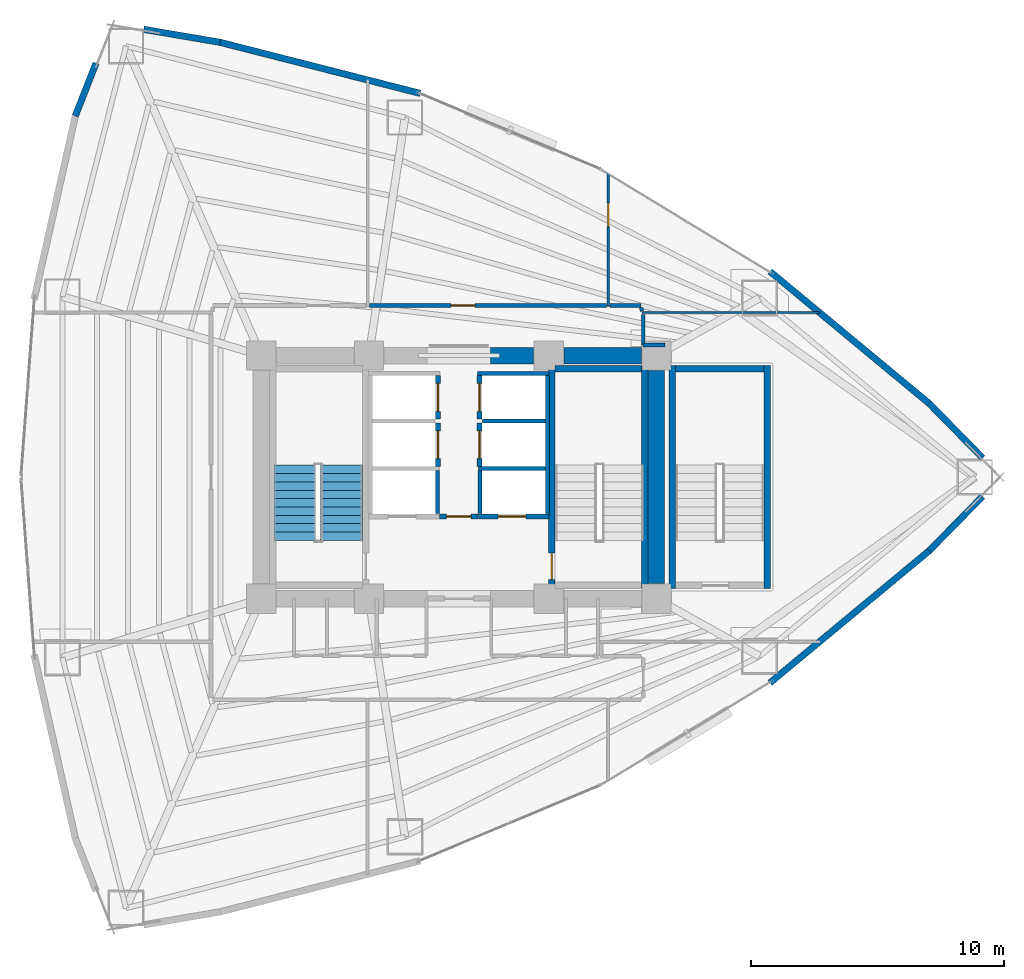
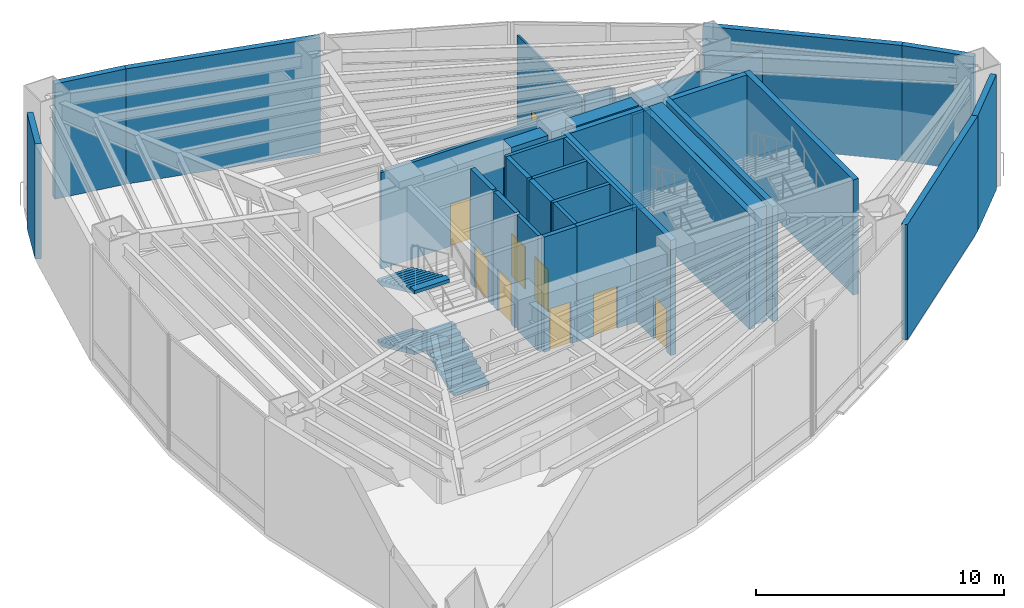
# One storey, part 15 of 19: 35 walls, 9 doors, 3 stair flights, 9 openings, 1 element without a shape of its own.
"""IFC4 building model written with IfcOpenShell, lengths in metres."""

from ifc_helpers import new_model, si_unit, direction, frame, frame_2d, origin, place, context, subcontext, project, spatial, polyline, rectangle, outline, extrude, material, layer, layer_set, type_object, element, fill, aggregate, save


model = new_model("IFC4")

# Units and contexts
model_context = context("Model", 3, precision=1e-05, world=origin(), true_north=direction((0.0, 1.0)))
body_context = subcontext(model_context, "Body", "Model", "MODEL_VIEW")
ifc_project = project(units=[si_unit("LENGTHUNIT", "METRE"), si_unit("AREAUNIT", "SQUARE_METRE"), si_unit("VOLUMEUNIT", "CUBIC_METRE"), si_unit("PLANEANGLEUNIT", "RADIAN"), si_unit("MASSUNIT", "GRAM", prefix="KILO")], contexts=[model_context])

# Site, building, storey
site_placement = place(None, origin())
site = spatial("IfcSite", under=ifc_project, at=site_placement, CompositionType="ELEMENT")
building_placement = place(site_placement, origin())
building = spatial("IfcBuilding", under=site, at=building_placement, Name="Menara Vayukalpa", CompositionType="ELEMENT")
storey_placement = place(building_placement, frame((0.0, 0.0, 12.0)))
storey = spatial("IfcBuildingStorey", under=building, at=storey_placement, Name="L02", CompositionType="ELEMENT", Elevation=12.0)

# Walls
ifc_material_1 = material(Name="Concrete C80/95", Category="concrete")
ifc_layer_1 = layer(ifc_material_1, 0.64990234375)
ifc_layer_set_1 = layer_set([ifc_layer_1], Name="Concrete C80/95")
wall_type_1 = type_object("IfcWallType", Name="WAL-CW650", PredefinedType="SHEAR", material=ifc_layer_set_1)
wall_1_placement = place(storey_placement, frame((26.85009765625, 26.800048828125, 0.0), z_axis=(0.0, 0.0, 1.0), x_axis=(1.0, 0.0, 0.0)))
element("IfcWall", 1, at=wall_1_placement, inside=storey, type_object=wall_type_1, Name="L02 Buttressed Core Shear Wall CWN3", PredefinedType="SHEAR", context=body_context, shape_type="SweptSolid", body=[
    extrude(rectangle(XDim=1.704833984375, YDim=0.64990234375, at=frame_2d((0.8525390625, 0.0))), origin(), (0.0, 0.0, 1.0), 5.679931640625),
])
wall_2_placement = place(storey_placement, frame((29.7451171875, 26.800048828125, 0.0), z_axis=(0.0, 0.0, 1.0), x_axis=(1.0, 0.0, 0.0)))
element("IfcWall", 2, at=wall_2_placement, inside=storey, type_object=wall_type_1, Name="L02 Buttressed Core Shear Wall CWN4", PredefinedType="SHEAR", context=body_context, shape_type="SweptSolid", body=[
    extrude(rectangle(XDim=3.059814453125, YDim=0.64990234375, at=frame_2d((1.52978515625, 0.0))), origin(), (0.0, 0.0, 1.0), 5.679931640625),
])
wall_3_placement = place(storey_placement, frame((33.39990234375, 17.794921875, 0.0), z_axis=(0.0, 0.0, 1.0), x_axis=(0.0, 1.0, 0.0)))
element("IfcWall", 3, at=wall_3_placement, inside=storey, type_object=wall_type_1, Name="L02 Buttressed Core Shear Wall CWE1", PredefinedType="SHEAR", context=body_context, shape_type="SweptSolid", body=[
    extrude(rectangle(XDim=8.41015625, YDim=0.64990234375, at=frame_2d((4.205078125, 0.0))), origin(), (0.0, 0.0, 1.0), 5.679931640625),
])
ifc_material_2 = material(Name="Insulated Precast Concrete C40/50", Category="concrete")
ifc_layer_2 = layer(ifc_material_2, 0.260009765625)
ifc_layer_set_2 = layer_set([ifc_layer_2], Name="Insulated Precast Concrete C40/50")
wall_type_2 = type_object("IfcWallType", Name="WAL-EXT260", PredefinedType="PARTITIONING", material=ifc_layer_set_2)
for number, where, z_axis, x_axis, name in (
    (4, (46.28466796875, 21.24169921875, 0.0), (0.0, 0.0, 1.0), (-0.700577373018, -0.713576446091, 0.0), "L02 Perimeter Terracotta Pier Wall 01"),
    (5, (44.166259765625, 24.916015625, 0.0), (0.0, 0.0, 1.0), (0.700577373018, -0.713576446091, 0.0), "L02 Perimeter Terracotta Pier Wall 02"),
):
    element("IfcWall", number, at=place(storey_placement, frame(where, z_axis=z_axis, x_axis=x_axis)), inside=storey, type_object=wall_type_2, Name=name, PredefinedType="PARTITIONING", context=body_context, shape_type="SweptSolid", body=[
        extrude(rectangle(XDim=3.023681640625, YDim=0.260009765625, at=frame_2d((1.51171875, 0.0))), origin(), (0.0, 0.0, 1.0), 5.679931640625),
    ])
for number, where, z_axis, x_axis, name in (
    (6, (37.888427734375, 30.121337890625, 0.0), (0.0, 0.0, 1.0), (0.769752944783, -0.638341917782, 0.0), "L02 Perimeter Terracotta Pier Wall 03"),
    (7, (16.167724609375, 39.171142578125, 0.0), (0.0, 0.0, 1.0), (0.968981557045, -0.247133045354, 0.0), "L02 Perimeter Terracotta Pier Wall 06"),
):
    element("IfcWall", number, at=place(storey_placement, frame(where, z_axis=z_axis, x_axis=x_axis)), inside=storey, type_object=wall_type_2, Name=name, PredefinedType="PARTITIONING", context=body_context, shape_type="SweptSolid", body=[
        extrude(rectangle(XDim=8.1669921875, YDim=0.260009765625, at=frame_2d((4.08349609375, 0.0))), origin(), (0.0, 0.0, 1.0), 5.679931640625),
    ])
wall_4_placement = place(storey_placement, frame((13.158203125, 39.681396484375, 0.0), z_axis=(0.0, 0.0, 1.0), x_axis=(0.985905166387, -0.167305119144, 0.0)))
element("IfcWall", 8, at=wall_4_placement, inside=storey, type_object=wall_type_2, Name="L02 Perimeter Terracotta Pier Wall 07", PredefinedType="PARTITIONING", context=body_context, shape_type="SweptSolid", body=[
    extrude(rectangle(XDim=3.064453125, YDim=0.260009765625, at=frame_2d((1.5322265625, 0.0))), origin(), (0.0, 0.0, 1.0), 5.679931640625),
])
wall_5_placement = place(storey_placement, frame((10.4560546875, 36.2578125, 0.0), z_axis=(0.0, 0.0, 1.0), x_axis=(0.365527759733, 0.930800438797, 0.0)))
element("IfcWall", 9, at=wall_5_placement, inside=storey, type_object=wall_type_2, Name="L02 Perimeter Terracotta Pier Wall 08", PredefinedType="PARTITIONING", context=body_context, shape_type="SweptSolid", body=[
    extrude(rectangle(XDim=2.242919921875, YDim=0.260009765625, at=frame_2d((1.12158203125, 0.0))), origin(), (0.0, 0.0, 1.0), 5.679931640625),
])
wall_6_placement = place(storey_placement, frame((44.175048828125, 19.092041015625, 0.0), z_axis=(0.0, 0.0, 1.0), x_axis=(-0.769752944783, -0.638341917782, 0.0)))
element("IfcWall", 10, at=wall_6_placement, inside=storey, type_object=wall_type_2, Name="L02 Perimeter Terracotta Pier Wall 18", PredefinedType="PARTITIONING", context=body_context, shape_type="SweptSolid", body=[
    extrude(rectangle(XDim=8.1669921875, YDim=0.260009765625, at=frame_2d((4.08349609375, 0.0))), origin(), (0.0, 0.0, 1.0), 5.679931640625),
])
ifc_material_3 = material(Name="Lightweight Concrete Blockwork C16/20", Category="masonry")
ifc_layer_3 = layer(ifc_material_3, 0.159912109375)
ifc_layer_set_3 = layer_set([ifc_layer_3], Name="Lightweight Concrete Blockwork C16/20")
wall_type_3 = type_object("IfcWallType", Name="WAL-FR150", PredefinedType="PARTITIONING", material=ifc_layer_set_3)
wall_7_placement = place(storey_placement, frame((24.7548828125, 20.56005859375, 0.0), z_axis=(0.0, 0.0, 1.0), x_axis=(0.0, 1.0, 0.0)))
element("IfcWall", 11, at=wall_7_placement, inside=storey, type_object=wall_type_3, Name="L02 Interior Partition IW-L02-SHW-W1E", PredefinedType="PARTITIONING", context=body_context, shape_type="SweptSolid", body=[
    extrude(rectangle(XDim=1.7099609375, YDim=0.159912109375, at=frame_2d((0.85498046875, 0.0))), origin(), (0.0, 0.0, 1.0), 5.679931640625),
])
wall_8_placement = place(storey_placement, frame((29.094970703125, 20.56005859375, 0.0), z_axis=(0.0, 0.0, 1.0), x_axis=(0.0, 1.0, 0.0)))
element("IfcWall", 12, at=wall_8_placement, inside=storey, type_object=wall_type_3, Name="L02 Interior Partition IW-L02-SHW-EE", PredefinedType="PARTITIONING", context=body_context, shape_type="SweptSolid", body=[
    extrude(rectangle(XDim=5.449951171875, YDim=0.159912109375, at=frame_2d((2.72509765625, 0.0))), origin(), (0.0, 0.0, 1.0), 5.679931640625),
])
wall_9_placement = place(storey_placement, frame((26.445068359375, 20.56005859375, 0.0), z_axis=(0.0, 0.0, 1.0), x_axis=(0.0, 1.0, 0.0)))
element("IfcWall", 13, at=wall_9_placement, inside=storey, type_object=wall_type_3, Name="L02 Interior Partition IW-L02-SHW-E1W", PredefinedType="PARTITIONING", context=body_context, shape_type="SweptSolid", body=[
    extrude(rectangle(XDim=1.7099609375, YDim=0.159912109375, at=frame_2d((0.85498046875, 0.0))), origin(), (0.0, 0.0, 1.0), 5.679931640625),
])
wall_10_placement = place(storey_placement, frame((26.3701171875, 22.344970703125, 0.0), z_axis=(0.0, 0.0, 1.0), x_axis=(1.0, 0.0, 0.0)))
element("IfcWall", 14, at=wall_10_placement, inside=storey, type_object=wall_type_3, Name="L02 Interior Partition IW-L02-SHM-E13", PredefinedType="PARTITIONING", context=body_context, shape_type="SweptSolid", body=[
    extrude(rectangle(XDim=2.64990234375, YDim=0.159912109375, at=frame_2d((1.324951171875, 0.0))), origin(), (0.0, 0.0, 1.0), 5.679931640625),
])
wall_11_placement = place(storey_placement, frame((26.530029296875, 24.215087890625, 0.0), z_axis=(0.0, 0.0, 1.0), x_axis=(1.0, 0.0, 0.0)))
element("IfcWall", 15, at=wall_11_placement, inside=storey, type_object=wall_type_3, Name="L02 Interior Partition IW-L02-SHM-E32", PredefinedType="PARTITIONING", context=body_context, shape_type="SweptSolid", body=[
    extrude(rectangle(XDim=2.489990234375, YDim=0.159912109375, at=frame_2d((1.2451171875, 0.0))), origin(), (0.0, 0.0, 1.0), 5.679931640625),
])
wall_12_placement = place(storey_placement, frame((26.340087890625, 26.0849609375, 0.0), z_axis=(0.0, 0.0, 1.0), x_axis=(1.0, 0.0, 0.0)))
element("IfcWall", 16, at=wall_12_placement, inside=storey, type_object=wall_type_3, Name="L02 Interior Partition IW-L02-SHM-E2N", PredefinedType="PARTITIONING", context=body_context, shape_type="SweptSolid", body=[
    extrude(rectangle(XDim=2.829833984375, YDim=0.159912109375, at=frame_2d((1.4150390625, 0.0))), origin(), (0.0, 0.0, 1.0), 5.679931640625),
])

# Wall, opening, door
ifc_material_4 = material(Name="Lightweight Concrete Blockwork C16/20", Category="masonry")
ifc_layer_4 = layer(ifc_material_4, 0.199951171875)
ifc_layer_set_4 = layer_set([ifc_layer_4], Name="Lightweight Concrete Blockwork C16/20")
wall_type_4 = type_object("IfcWallType", Name="WAL-FR200", PredefinedType="PARTITIONING", material=ifc_layer_set_4)
wall_13_placement = place(storey_placement, frame((24.840087890625, 20.449951171875, 0.0), z_axis=(0.0, 0.0, 1.0), x_axis=(1.0, 0.0, 0.0)))
wall_13 = element("IfcWall", 17, at=wall_13_placement, inside=storey, type_object=wall_type_4, Name="L02 Interior Partition IW-L02-FFLN", PredefinedType="PARTITIONING", context=body_context, shape_type="SweptSolid", body=[
    extrude(rectangle(XDim=1.52001953125, YDim=0.199951171875, at=frame_2d((0.760009765625, 0.0))), origin(), (0.0, 0.0, 1.0), 5.679931640625),
])
opening_1_placement = place(wall_13_placement, frame((0.27001953125, 0.0, 0.0)))
opening_1 = element("IfcOpeningElement", 18, at=opening_1_placement, cuts=wall_13, Name="Opening ID3", PredefinedType="OPENING", context=body_context, shape_type="SweptSolid", body=[
    extrude(rectangle(XDim=0.97998046875, YDim=2.06005859375, at=frame_2d((0.489990234375, 1.030029296875))), frame((0.0, 0.10986328125, 0.0), z_axis=(0.0, -1.0, 0.0), x_axis=(1.0, 0.0, 0.0)), (0.0, 0.0, 1.0), 0.219970703125),
])
ifc_material_5 = material(Name="Fire-Rated Powder-Coated Steel Door", Category="steel")
door_type_1 = type_object("IfcDoorType", Name="DR-FD60", OperationType="NOTDEFINED", PredefinedType="DOOR", material=ifc_material_5)
door_1_placement = place(opening_1_placement, origin())
door_1 = element("IfcDoor", 19, at=door_1_placement, inside=storey, type_object=door_type_1, Name="L02 Interior Door DR-L02-FFLN", OperationType="SINGLE_SWING_LEFT", OverallHeight=2.06005859375, OverallWidth=0.97998046875, PredefinedType="DOOR", context=body_context, shape_type="SweptSolid", body=[
    extrude(rectangle(XDim=0.97998046875, YDim=2.06005859375, at=frame_2d((0.489990234375, 1.030029296875))), frame((0.0, 0.02490234375, 0.0), z_axis=(0.0, -1.0, 0.0), x_axis=(1.0, 0.0, 0.0)), (0.0, 0.0, 1.0), 0.050048828125),
])
fill(opening_1, door_1)

wall_14_placement = place(storey_placement, frame((26.3701171875, 20.449951171875, 0.0), z_axis=(0.0, 0.0, 1.0), x_axis=(1.0, 0.0, 0.0)))
wall_14 = element("IfcWall", 20, at=wall_14_placement, inside=storey, type_object=wall_type_4, Name="L02 Interior Partition IW-L02-SH-E1", PredefinedType="PARTITIONING", context=body_context, shape_type="SweptSolid", body=[
    extrude(rectangle(XDim=2.7998046875, YDim=0.199951171875, at=frame_2d((1.39990234375, 0.0))), origin(), (0.0, 0.0, 1.0), 5.679931640625),
])
opening_2_placement = place(wall_14_placement, frame((0.780029296875, 0.0, 0.0)))
opening_2 = element("IfcOpeningElement", 21, at=opening_2_placement, cuts=wall_14, Name="Opening LD1", PredefinedType="OPENING", context=body_context, shape_type="SweptSolid", body=[
    extrude(rectangle(XDim=1.10009765625, YDim=2.080078125, at=frame_2d((0.550048828125, 1.0400390625))), frame((0.0, 0.10986328125, 0.0), z_axis=(0.0, -1.0, 0.0), x_axis=(1.0, 0.0, 0.0)), (0.0, 0.0, 1.0), 0.219970703125),
])
ifc_material_6 = material(Name="Brushed Stainless Steel 316 Lift Door", Category="steel")
door_type_2 = type_object("IfcDoorType", Name="DR-LD110", OperationType="NOTDEFINED", PredefinedType="DOOR", material=ifc_material_6)
door_2_placement = place(opening_2_placement, origin())
door_2 = element("IfcDoor", 22, at=door_2_placement, inside=storey, type_object=door_type_2, Name="L02 Interior Door DR-L02-LD-E1", OperationType="DOUBLE_DOOR_SLIDING", OverallHeight=2.080078125, OverallWidth=1.10009765625, PredefinedType="DOOR", context=body_context, shape_type="SweptSolid", body=[
    extrude(rectangle(XDim=1.10009765625, YDim=2.080078125, at=frame_2d((0.550048828125, 1.0400390625))), frame((0.0, 0.02490234375, 0.0), z_axis=(0.0, -1.0, 0.0), x_axis=(1.0, 0.0, 0.0)), (0.0, 0.0, 1.0), 0.050048828125),
])
fill(opening_2, door_2)

wall_15_placement = place(storey_placement, frame((24.780029296875, 22.419921875, 0.0), z_axis=(0.0, 0.0, 1.0), x_axis=(0.0, 1.0, 0.0)))
wall_15 = element("IfcWall", 23, at=wall_15_placement, inside=storey, type_object=wall_type_4, Name="L02 Interior Partition IW-L02-SH-W2", PredefinedType="PARTITIONING", context=body_context, shape_type="SweptSolid", body=[
    extrude(rectangle(XDim=1.719970703125, YDim=0.199951171875, at=frame_2d((0.85986328125, 0.0))), origin(), (0.0, 0.0, 1.0), 5.679931640625),
])
opening_3_placement = place(wall_15_placement, frame((0.31005859375, 0.0, 0.0)))
opening_3 = element("IfcOpeningElement", 24, at=opening_3_placement, cuts=wall_15, Name="Opening LD1", PredefinedType="OPENING", context=body_context, shape_type="SweptSolid", body=[
    extrude(rectangle(XDim=1.10009765625, YDim=2.080078125, at=frame_2d((0.550048828125, 1.0400390625))), frame((0.0, 0.10986328125, 0.0), z_axis=(0.0, -1.0, 0.0), x_axis=(1.0, 0.0, 0.0)), (0.0, 0.0, 1.0), 0.219970703125),
])
door_3_placement = place(opening_3_placement, origin())
door_3 = element("IfcDoor", 25, at=door_3_placement, inside=storey, type_object=door_type_2, Name="L02 Interior Door DR-L02-LD-W2", OperationType="DOUBLE_DOOR_SLIDING", OverallHeight=2.080078125, OverallWidth=1.10009765625, PredefinedType="DOOR", context=body_context, shape_type="SweptSolid", body=[
    extrude(rectangle(XDim=1.10009765625, YDim=2.080078125, at=frame_2d((0.550048828125, 1.0400390625))), frame((0.0, 0.02490234375, 0.0), z_axis=(0.0, -1.0, 0.0), x_axis=(1.0, 0.0, 0.0)), (0.0, 0.0, 1.0), 0.050048828125),
])
fill(opening_3, door_3)

wall_16_placement = place(storey_placement, frame((24.780029296875, 24.2900390625, 0.0), z_axis=(0.0, 0.0, 1.0), x_axis=(0.0, 1.0, 0.0)))
wall_16 = element("IfcWall", 26, at=wall_16_placement, inside=storey, type_object=wall_type_4, Name="L02 Interior Partition IW-L02-SH-W3", PredefinedType="PARTITIONING", context=body_context, shape_type="SweptSolid", body=[
    extrude(rectangle(XDim=1.719970703125, YDim=0.199951171875, at=frame_2d((0.85986328125, 0.0))), origin(), (0.0, 0.0, 1.0), 5.679931640625),
])
opening_4_placement = place(wall_16_placement, frame((0.31005859375, 0.0, 0.0)))
opening_4 = element("IfcOpeningElement", 27, at=opening_4_placement, cuts=wall_16, Name="Opening LD1", PredefinedType="OPENING", context=body_context, shape_type="SweptSolid", body=[
    extrude(rectangle(XDim=1.10009765625, YDim=2.080078125, at=frame_2d((0.550048828125, 1.0400390625))), frame((0.0, 0.10986328125, 0.0), z_axis=(0.0, -1.0, 0.0), x_axis=(1.0, 0.0, 0.0)), (0.0, 0.0, 1.0), 0.219970703125),
])
door_4_placement = place(opening_4_placement, origin())
door_4 = element("IfcDoor", 28, at=door_4_placement, inside=storey, type_object=door_type_2, Name="L02 Interior Door DR-L02-LD-W3", OperationType="DOUBLE_DOOR_SLIDING", OverallHeight=2.080078125, OverallWidth=1.10009765625, PredefinedType="DOOR", context=body_context, shape_type="SweptSolid", body=[
    extrude(rectangle(XDim=1.10009765625, YDim=2.080078125, at=frame_2d((0.550048828125, 1.0400390625))), frame((0.0, 0.02490234375, 0.0), z_axis=(0.0, -1.0, 0.0), x_axis=(1.0, 0.0, 0.0)), (0.0, 0.0, 1.0), 0.050048828125),
])
fill(opening_4, door_4)

wall_17_placement = place(storey_placement, frame((26.419921875, 22.419921875, 0.0), z_axis=(0.0, 0.0, 1.0), x_axis=(0.0, 1.0, 0.0)))
wall_17 = element("IfcWall", 29, at=wall_17_placement, inside=storey, type_object=wall_type_4, Name="L02 Interior Partition IW-L02-SH-E3", PredefinedType="PARTITIONING", context=body_context, shape_type="SweptSolid", body=[
    extrude(rectangle(XDim=1.719970703125, YDim=0.199951171875, at=frame_2d((0.85986328125, 0.0))), origin(), (0.0, 0.0, 1.0), 5.679931640625),
])
opening_5_placement = place(wall_17_placement, frame((0.31005859375, 0.0, 0.0)))
opening_5 = element("IfcOpeningElement", 30, at=opening_5_placement, cuts=wall_17, Name="Opening LD1", PredefinedType="OPENING", context=body_context, shape_type="SweptSolid", body=[
    extrude(rectangle(XDim=1.10009765625, YDim=2.080078125, at=frame_2d((0.550048828125, 1.0400390625))), frame((0.0, 0.10986328125, 0.0), z_axis=(0.0, -1.0, 0.0), x_axis=(1.0, 0.0, 0.0)), (0.0, 0.0, 1.0), 0.219970703125),
])
door_5_placement = place(opening_5_placement, origin())
door_5 = element("IfcDoor", 31, at=door_5_placement, inside=storey, type_object=door_type_2, Name="L02 Interior Door DR-L02-LD-E3", OperationType="DOUBLE_DOOR_SLIDING", OverallHeight=2.080078125, OverallWidth=1.10009765625, PredefinedType="DOOR", context=body_context, shape_type="SweptSolid", body=[
    extrude(rectangle(XDim=1.10009765625, YDim=2.080078125, at=frame_2d((0.550048828125, 1.0400390625))), frame((0.0, 0.02490234375, 0.0), z_axis=(0.0, -1.0, 0.0), x_axis=(1.0, 0.0, 0.0)), (0.0, 0.0, 1.0), 0.050048828125),
])
fill(opening_5, door_5)

wall_18_placement = place(storey_placement, frame((26.419921875, 24.2900390625, 0.0), z_axis=(0.0, 0.0, 1.0), x_axis=(0.0, 1.0, 0.0)))
wall_18 = element("IfcWall", 32, at=wall_18_placement, inside=storey, type_object=wall_type_4, Name="L02 Interior Partition IW-L02-SH-E2", PredefinedType="PARTITIONING", context=body_context, shape_type="SweptSolid", body=[
    extrude(rectangle(XDim=1.719970703125, YDim=0.199951171875, at=frame_2d((0.85986328125, 0.0))), origin(), (0.0, 0.0, 1.0), 5.679931640625),
])
opening_6_placement = place(wall_18_placement, frame((0.31005859375, 0.0, 0.0)))
opening_6 = element("IfcOpeningElement", 33, at=opening_6_placement, cuts=wall_18, Name="Opening LD1", PredefinedType="OPENING", context=body_context, shape_type="SweptSolid", body=[
    extrude(rectangle(XDim=1.10009765625, YDim=2.080078125, at=frame_2d((0.550048828125, 1.0400390625))), frame((0.0, 0.10986328125, 0.0), z_axis=(0.0, -1.0, 0.0), x_axis=(1.0, 0.0, 0.0)), (0.0, 0.0, 1.0), 0.219970703125),
])
door_6_placement = place(opening_6_placement, origin())
door_6 = element("IfcDoor", 34, at=door_6_placement, inside=storey, type_object=door_type_2, Name="L02 Interior Door DR-L02-LD-E2", OperationType="DOUBLE_DOOR_SLIDING", OverallHeight=2.080078125, OverallWidth=1.10009765625, PredefinedType="DOOR", context=body_context, shape_type="SweptSolid", body=[
    extrude(rectangle(XDim=1.10009765625, YDim=2.080078125, at=frame_2d((0.550048828125, 1.0400390625))), frame((0.0, 0.02490234375, 0.0), z_axis=(0.0, -1.0, 0.0), x_axis=(1.0, 0.0, 0.0)), (0.0, 0.0, 1.0), 0.050048828125),
])
fill(opening_6, door_6)

ifc_material_7 = material(Name="Glazed Demountable Office Partition", Category="glass")
ifc_layer_5 = layer(ifc_material_7, 0.094970703125)
ifc_layer_set_5 = layer_set([ifc_layer_5], Name="Glazed Demountable Office Partition")
wall_type_5 = type_object("IfcWallType", Name="WAL-PT100", PredefinedType="PARTITIONING", material=ifc_layer_set_5)
wall_19_placement = place(storey_placement, frame((31.5, 28.72998046875, 0.0), z_axis=(0.0, 0.0, 1.0), x_axis=(0.0, 1.0, 0.0)))
wall_19 = element("IfcWall", 35, at=wall_19_placement, inside=storey, type_object=wall_type_5, Name="L02 Interior Partition IW-L02-RDIV04", PredefinedType="PARTITIONING", context=body_context, shape_type="SweptSolid", body=[
    extrude(rectangle(XDim=5.26513671875, YDim=0.094970703125, at=frame_2d((2.632568359375, 0.0))), origin(), (0.0, 0.0, 1.0), 5.06005859375),
])
opening_7_placement = place(wall_19_placement, frame((3.1650390625, 0.0, 0.0)))
opening_7 = element("IfcOpeningElement", 36, at=opening_7_placement, cuts=wall_19, Name="Opening ID6", PredefinedType="OPENING", context=body_context, shape_type="SweptSolid", body=[
    extrude(rectangle(XDim=0.919921875, YDim=2.050048828125, at=frame_2d((0.4599609375, 1.02490234375))), frame((0.0, 0.057373046875, 0.0), z_axis=(0.0, -1.0, 0.0), x_axis=(1.0, 0.0, 0.0)), (0.0, 0.0, 1.0), 0.114990234375),
])
ifc_material_8 = material(Name="Acoustic Hardwood Veneer Timber Door", Category="wood")
door_type_3 = type_object("IfcDoorType", Name="DR-INT92", OperationType="NOTDEFINED", PredefinedType="DOOR", material=ifc_material_8)
door_7_placement = place(opening_7_placement, origin())
door_7 = element("IfcDoor", 37, at=door_7_placement, inside=storey, type_object=door_type_3, Name="L02 Interior Door DR-L02-STE06", OperationType="SINGLE_SWING_LEFT", OverallHeight=2.050048828125, OverallWidth=0.919921875, PredefinedType="DOOR", context=body_context, shape_type="SweptSolid", body=[
    extrude(rectangle(XDim=0.919921875, YDim=2.050048828125, at=frame_2d((0.4599609375, 1.02490234375))), frame((0.0, 0.02490234375, 0.0), z_axis=(0.0, -1.0, 0.0), x_axis=(1.0, 0.0, 0.0)), (0.0, 0.0, 1.0), 0.050048828125),
])
fill(opening_7, door_7)

# Walls
wall_20_placement = place(storey_placement, frame((32.830078125, 28.5, 0.0), z_axis=(0.0, 0.0, 1.0), x_axis=(1.0, 0.0, 0.0)))
element("IfcWall", 38, at=wall_20_placement, inside=storey, type_object=wall_type_5, Name="L02 Interior Partition IW-L02-RDIV08", PredefinedType="PARTITIONING", context=body_context, shape_type="SweptSolid", body=[
    extrude(rectangle(XDim=7.029296875, YDim=0.094970703125, at=frame_2d((3.5146484375, 0.0))), origin(), (0.0, 0.0, 1.0), 4.760009765625),
])
ifc_material_9 = material(Name="Gypsum Drywall Acoustic Stud Assembly", Category="masonry")
ifc_layer_6 = layer(ifc_material_9, 0.14501953125)
ifc_layer_set_6 = layer_set([ifc_layer_6], Name="Gypsum Drywall Acoustic Stud Assembly")
wall_type_6 = type_object("IfcWallType", Name="WAL-PT150", PredefinedType="PARTITIONING", material=ifc_layer_set_6)
wall_21_placement = place(storey_placement, frame((33.739990234375, 27.219970703125, 0.0), z_axis=(0.0, 0.0, 1.0), x_axis=(-1.0, 0.0, 0.0)))
element("IfcWall", 39, at=wall_21_placement, inside=storey, type_object=wall_type_6, Name="L02 Interior Partition IW-L02-CRM05-1", PredefinedType="PARTITIONING", context=body_context, shape_type="SweptSolid", body=[
    extrude(rectangle(XDim=0.860107421875, YDim=0.14501953125, at=frame_2d((0.43017578125, 0.0))), origin(), (0.0, 0.0, 1.0), 4.760009765625),
])
wall_22_placement = place(storey_placement, frame((32.8798828125, 27.219970703125, 0.0), z_axis=(0.0, 0.0, 1.0), x_axis=(0.0, 1.0, 0.0)))
element("IfcWall", 40, at=wall_22_placement, inside=storey, type_object=wall_type_6, Name="L02 Interior Partition IW-L02-CRM05-2", PredefinedType="PARTITIONING", context=body_context, shape_type="SweptSolid", body=[
    extrude(rectangle(XDim=1.2099609375, YDim=0.14501953125, at=frame_2d((0.60498046875, 0.0))), origin(), (0.0, 0.0, 1.0), 4.81005859375),
])
wall_23_placement = place(storey_placement, frame((32.800048828125, 28.780029296875, 0.0), z_axis=(0.0, 0.0, 1.0), x_axis=(-1.0, 0.0, 0.0)))
element("IfcWall", 41, at=wall_23_placement, inside=storey, type_object=wall_type_6, Name="L02 Interior Partition IW-L02-CRM06-1", PredefinedType="PARTITIONING", context=body_context, shape_type="SweptSolid", body=[
    extrude(rectangle(XDim=1.22998046875, YDim=0.14501953125, at=frame_2d((0.614990234375, 0.0))), origin(), (0.0, 0.0, 1.0), 5.2099609375),
])

# Wall, opening, door
wall_24_placement = place(storey_placement, frame((31.429931640625, 28.780029296875, 0.0), z_axis=(0.0, 0.0, 1.0), x_axis=(-1.0, 0.0, 0.0)))
wall_24 = element("IfcWall", 42, at=wall_24_placement, inside=storey, type_object=wall_type_6, Name="L02 Interior Partition IW-L02-CRM07-1", PredefinedType="PARTITIONING", context=body_context, shape_type="SweptSolid", body=[
    extrude(rectangle(XDim=9.35986328125, YDim=0.14501953125, at=frame_2d((4.679931640625, 0.0))), origin(), (0.0, 0.0, 1.0), 4.760009765625),
])
opening_8_placement = place(wall_24_placement, frame((5.186279296875, 0.0, 0.0)))
opening_8 = element("IfcOpeningElement", 43, at=opening_8_placement, cuts=wall_24, Name="Opening ID5", PredefinedType="OPENING", context=body_context, shape_type="SweptSolid", body=[
    extrude(rectangle(XDim=0.949951171875, YDim=2.06005859375, at=frame_2d((0.47509765625, 1.030029296875))), frame((0.0, 0.08251953125, 0.0), z_axis=(0.0, -1.0, 0.0), x_axis=(1.0, 0.0, 0.0)), (0.0, 0.0, 1.0), 0.1650390625),
])
ifc_material_10 = material(Name="Acoustic Hardwood Veneer Timber Door", Category="wood")
door_type_4 = type_object("IfcDoorType", Name="DR-INT95", OperationType="NOTDEFINED", PredefinedType="DOOR", material=ifc_material_10)
door_8_placement = place(opening_8_placement, origin())
door_8 = element("IfcDoor", 44, at=door_8_placement, inside=storey, type_object=door_type_4, Name="L02 Interior Door DR-L02-RM07", OperationType="SINGLE_SWING_RIGHT", OverallHeight=2.06005859375, OverallWidth=0.949951171875, PredefinedType="DOOR", context=body_context, shape_type="SweptSolid", body=[
    extrude(rectangle(XDim=0.949951171875, YDim=2.06005859375, at=frame_2d((0.47509765625, 1.030029296875))), frame((0.0, 0.02490234375, 0.0), z_axis=(0.0, -1.0, 0.0), x_axis=(1.0, 0.0, 0.0)), (0.0, 0.0, 1.0), 0.050048828125),
])
fill(opening_8, door_8)

# Wall
wall_25_placement = place(storey_placement, frame((32.80859375, 28.700439453125, 0.0), z_axis=(0.0, 0.0, 1.0), x_axis=(0.106362415448, -0.994327429261, 0.0)))
element("IfcWall", 45, at=wall_25_placement, inside=storey, type_object=wall_type_6, Name="L02 Interior Partition IW-L02-CRM06-1-R0", PredefinedType="PARTITIONING", context=body_context, shape_type="SweptSolid", body=[
    extrude(rectangle(XDim=0.151611328125, YDim=0.14501953125, at=frame_2d((0.07568359375, 0.0))), origin(), (0.0, 0.0, 1.0), 5.2099609375),
])

# Wall, opening, door
ifc_material_11 = material(Name="Concrete C50/60", Category="concrete")
ifc_layer_7 = layer(ifc_material_11, 0.25)
ifc_layer_set_7 = layer_set([ifc_layer_7], Name="Concrete C50/60")
wall_type_7 = type_object("IfcWallType", Name="WAL-SW250", PredefinedType="SHEAR", material=ifc_layer_set_7)
wall_26_placement = place(storey_placement, frame((29.27490234375, 17.60009765625, 0.0), z_axis=(0.0, 0.0, 1.0), x_axis=(0.0, 1.0, 0.0)))
wall_26 = element("IfcWall", 46, at=wall_26_placement, inside=storey, type_object=wall_type_7, Name="L02 ST2 Structural Stair Shaft Wall W", PredefinedType="SHEAR", context=body_context, shape_type="SweptSolid", body=[
    extrude(rectangle(XDim=8.7998046875, YDim=0.25, at=frame_2d((4.39990234375, 0.0))), origin(), (0.0, 0.0, 1.0), 5.679931640625),
])
opening_9_placement = place(wall_26_placement, frame((0.35009765625, 0.0, 0.0)))
opening_9 = element("IfcOpeningElement", 47, at=opening_9_placement, cuts=wall_26, Name="Opening ID1", PredefinedType="OPENING", context=body_context, shape_type="SweptSolid", body=[
    extrude(rectangle(XDim=1.050048828125, YDim=2.080078125, at=frame_2d((0.52490234375, 1.0400390625))), frame((0.0, 0.135009765625, 0.0), z_axis=(0.0, -1.0, 0.0), x_axis=(1.0, 0.0, 0.0)), (0.0, 0.0, 1.0), 0.27001953125),
])
ifc_material_12 = material(Name="Fire-Rated Powder-Coated Steel Door", Category="steel")
door_type_5 = type_object("IfcDoorType", Name="DR-FD120", OperationType="NOTDEFINED", PredefinedType="DOOR", material=ifc_material_12)
door_9_placement = place(opening_9_placement, origin())
door_9 = element("IfcDoor", 48, at=door_9_placement, inside=storey, type_object=door_type_5, Name="L02 Stair Exit Door DR-L02-ST2", OperationType="SINGLE_SWING_RIGHT", OverallHeight=2.080078125, OverallWidth=1.050048828125, PredefinedType="DOOR", context=body_context, shape_type="SweptSolid", body=[
    extrude(rectangle(XDim=1.050048828125, YDim=2.080078125, at=frame_2d((0.52490234375, 1.0400390625))), frame((0.0, 0.02490234375, 0.0), z_axis=(0.0, -1.0, 0.0), x_axis=(1.0, 0.0, 0.0)), (0.0, 0.0, 1.0), 0.050048828125),
])
fill(opening_9, door_9)

# Walls
wall_27_placement = place(storey_placement, frame((32.946044921875, 17.60009765625, 0.0), z_axis=(0.0, 0.0, 1.0), x_axis=(0.0, 1.0, 0.0)))
element("IfcWall", 49, at=wall_27_placement, inside=storey, type_object=wall_type_7, Name="L02 ST2 Structural Stair Shaft Wall E", PredefinedType="SHEAR", context=body_context, shape_type="SweptSolid", body=[
    extrude(rectangle(XDim=8.7998046875, YDim=0.25, at=frame_2d((4.39990234375, 0.0))), origin(), (0.0, 0.0, 1.0), 5.679931640625),
])
wall_28_placement = place(storey_placement, frame((29.39990234375, 26.27490234375, 0.0), z_axis=(0.0, 0.0, 1.0), x_axis=(1.0, 0.0, 0.0)))
element("IfcWall", 50, at=wall_28_placement, inside=storey, type_object=wall_type_7, Name="L02 ST2 Structural Stair Shaft Wall N", PredefinedType="SHEAR", context=body_context, shape_type="SweptSolid", body=[
    extrude(rectangle(XDim=3.421142578125, YDim=0.25, at=frame_2d((1.71044921875, 0.0))), origin(), (0.0, 0.0, 1.0), 5.679931640625),
])
for number, where, z_axis, x_axis, name in (
    (51, (34.02490234375, 17.60009765625, 0.0), (0.0, 0.0, 1.0), (0.0, 1.0, 0.0), "L02 ST3 Structural Stair Shaft Wall W"),
    (52, (37.77490234375, 17.60009765625, 0.0), (0.0, 0.0, 1.0), (0.0, 1.0, 0.0), "L02 ST3 Structural Stair Shaft Wall E"),
):
    element("IfcWall", number, at=place(storey_placement, frame(where, z_axis=z_axis, x_axis=x_axis)), inside=storey, type_object=wall_type_7, Name=name, PredefinedType="SHEAR", context=body_context, shape_type="SweptSolid", body=[
        extrude(rectangle(XDim=8.7998046875, YDim=0.25, at=frame_2d((4.39990234375, 0.0))), origin(), (0.0, 0.0, 1.0), 5.679931640625),
    ])
wall_29_placement = place(storey_placement, frame((34.14990234375, 26.27490234375, 0.0), z_axis=(0.0, 0.0, 1.0), x_axis=(1.0, 0.0, 0.0)))
element("IfcWall", 53, at=wall_29_placement, inside=storey, type_object=wall_type_7, Name="L02 ST3 Structural Stair Shaft Wall N", PredefinedType="SHEAR", context=body_context, shape_type="SweptSolid", body=[
    extrude(rectangle(XDim=3.5, YDim=0.25, at=frame_2d((1.75, 0.0))), origin(), (0.0, 0.0, 1.0), 5.679931640625),
])

# Stair, stair flights
ifc_material_13 = material(Name="Precast Concrete C40/50", Category="concrete")
stair_type = type_object("IfcStairType", Name="STR-T03", PredefinedType="DOUBLE_RETURN_STAIR", material=ifc_material_13)
stair_placement = place(storey_placement, origin())
stair = element("IfcStair", 54, at=stair_placement, inside=storey, type_object=stair_type, Name="L02 Core Exit Stair ST-1", PredefinedType="DOUBLE_RETURN_STAIR")
ifc_material_14 = material(Name="Precast Concrete C40/50", Category="concrete")
stair_flight_type = type_object("IfcStairFlightType", Name="STF-T03", PredefinedType="STRAIGHT", material=ifc_material_14)
stair_flight_1_placement = place(storey_placement, frame((20.97509765625, 19.5, 0.0), z_axis=(0.0, 0.0, 1.0), x_axis=(0.0, 1.0, 0.0)))
stair_flight_1 = element("IfcStairFlight", 55, at=stair_flight_1_placement, type_object=stair_flight_type, Name="ST-1 flight 1", NumberOfRisers=10, NumberOfTreads=9, PredefinedType="STRAIGHT", RiserHeight=0.15, TreadLength=0.33, context=body_context, shape_type="SweptSolid", body=[
    extrude(outline(polyline([(0.0, 0.0), (0.0, 0.14990234375), (0.330078125, 0.14990234375), (0.330078125, 0.300048828125), (0.659912109375, 0.300048828125), (0.659912109375, 0.449951171875), (0.989990234375, 0.449951171875), (0.989990234375, 0.60009765625), (1.320068359375, 0.60009765625), (1.320068359375, 0.75), (1.64990234375, 0.75), (1.64990234375, 0.89990234375), (1.97998046875, 0.89990234375), (1.97998046875, 1.050048828125), (2.31005859375, 1.050048828125), (2.31005859375, 1.199951171875), (2.639892578125, 1.199951171875), (2.639892578125, 1.35009765625), (2.969970703125, 1.35009765625), (2.969970703125, 1.5), (2.969970703125, 1.185302734375), (0.3623046875, 0.0), (0.0, 0.0)])), frame((0.0, 0.824951171875, 0.0), z_axis=(0.0, -1.0, 0.0), x_axis=(1.0, 0.0, 0.0)), (0.0, 0.0, 1.0), 1.64990234375),
])
stair_flight_2_placement = place(storey_placement, frame((19.125, 22.469970703125, 1.5), z_axis=(0.0, 0.0, 1.0), x_axis=(0.0, -1.0, 0.0)))
stair_flight_2 = element("IfcStairFlight", 56, at=stair_flight_2_placement, type_object=stair_flight_type, Name="ST-1 flight 2", NumberOfRisers=10, NumberOfTreads=9, PredefinedType="STRAIGHT", RiserHeight=0.15, TreadLength=0.33, context=body_context, shape_type="SweptSolid", body=[
    extrude(outline(polyline([(0.0, 0.0), (0.0, 0.14990234375), (0.330078125, 0.14990234375), (0.330078125, 0.300048828125), (0.659912109375, 0.300048828125), (0.659912109375, 0.449951171875), (0.989990234375, 0.449951171875), (0.989990234375, 0.60009765625), (1.320068359375, 0.60009765625), (1.320068359375, 0.75), (1.64990234375, 0.75), (1.64990234375, 0.89990234375), (1.97998046875, 0.89990234375), (1.97998046875, 1.050048828125), (2.31005859375, 1.050048828125), (2.31005859375, 1.199951171875), (2.639892578125, 1.199951171875), (2.639892578125, 1.35009765625), (2.969970703125, 1.35009765625), (2.969970703125, 1.5), (2.969970703125, 1.185302734375), (0.3623046875, 0.0), (0.0, 0.0)])), frame((0.0, 0.824951171875, 0.0), z_axis=(0.0, -1.0, 0.0), x_axis=(1.0, 0.0, 0.0)), (0.0, 0.0, 1.0), 1.64990234375),
])
stair_flight_3_placement = place(storey_placement, frame((19.125, 22.469970703125, 4.5), z_axis=(0.0, 0.0, 1.0), x_axis=(0.0, -1.0, 0.0)))
stair_flight_3 = element("IfcStairFlight", 57, at=stair_flight_3_placement, type_object=stair_flight_type, Name="ST-1 flight 4", NumberOfRisers=10, NumberOfTreads=9, PredefinedType="STRAIGHT", RiserHeight=0.15, TreadLength=0.33, context=body_context, shape_type="SweptSolid", body=[
    extrude(outline(polyline([(0.0, 0.0), (0.0, 0.14990234375), (0.330078125, 0.14990234375), (0.330078125, 0.300048828125), (0.659912109375, 0.300048828125), (0.659912109375, 0.449951171875), (0.989990234375, 0.449951171875), (0.989990234375, 0.60009765625), (1.320068359375, 0.60009765625), (1.320068359375, 0.75), (1.64990234375, 0.75), (1.64990234375, 0.89990234375), (1.97998046875, 0.89990234375), (1.97998046875, 1.050048828125), (2.31005859375, 1.050048828125), (2.31005859375, 1.199951171875), (2.639892578125, 1.199951171875), (2.639892578125, 1.35009765625), (2.969970703125, 1.35009765625), (2.969970703125, 1.5), (2.969970703125, 1.185302734375), (0.3623046875, 0.0), (0.0, 0.0)])), frame((0.0, 0.824951171875, 0.0), z_axis=(0.0, -1.0, 0.0), x_axis=(1.0, 0.0, 0.0)), (0.0, 0.0, 1.0), 1.64990234375),
])
aggregate(stair, [stair_flight_1, stair_flight_2, stair_flight_3])

save(model, "model.ifc")
